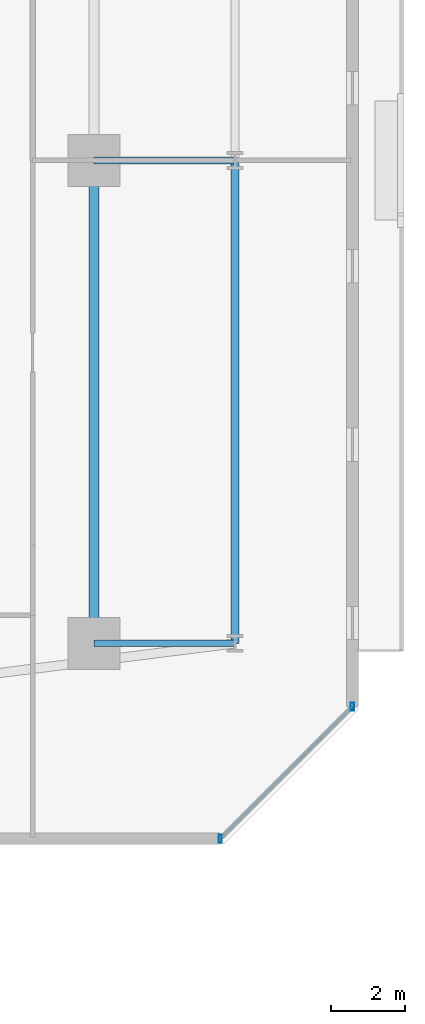
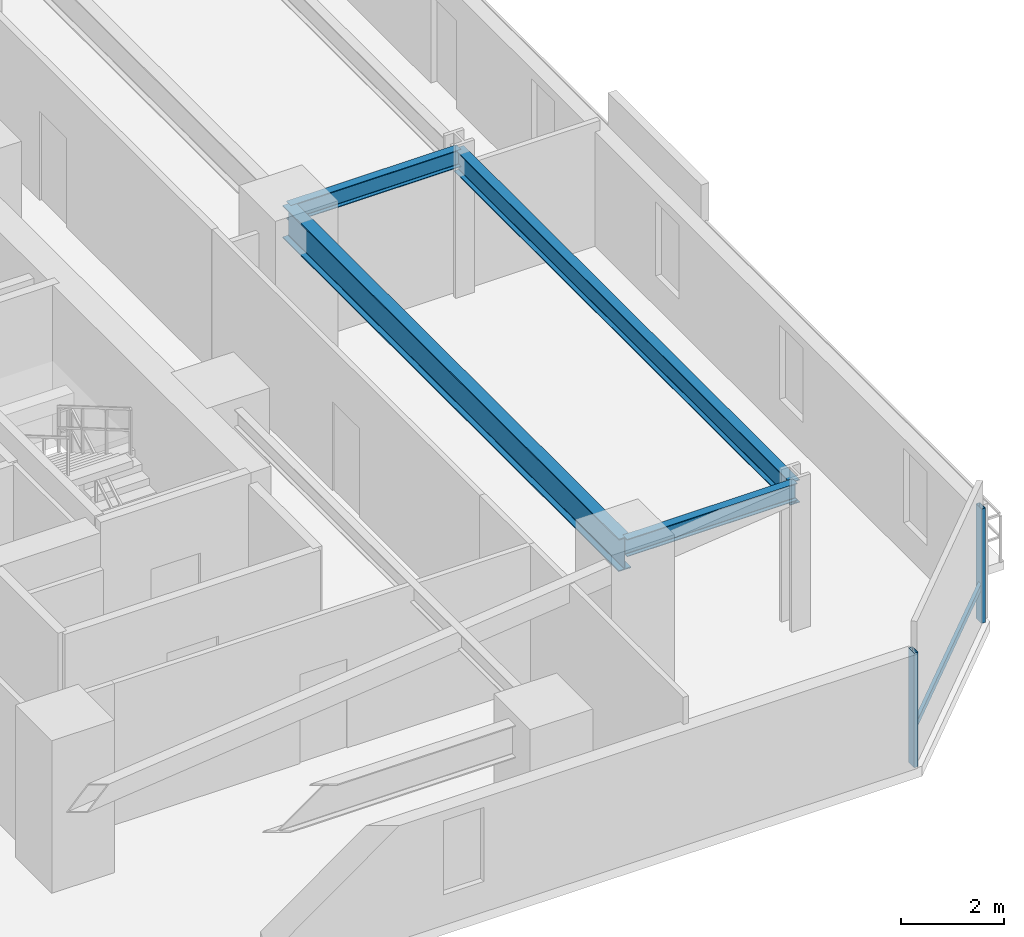
# One storey, part 14 of 34: 4 beams, 3 members, 1 element without a shape of its own.
"""IFC4 building model written with IfcOpenShell, lengths in metres."""

import ifcopenshell
import ifcopenshell.guid

model = None  # the IFC model being written
_history = None  # IfcOwnerHistory: only IFC2X3 demands one
_inside = {}  # id of a spatial element -> (the spatial element, [elements in it])
_under = {}  # id of a project, library or spatial element -> (it, [spatial elements below it])
_declared = {}  # id of a project -> (the project, [libraries it declares])
_typed = {}  # id of a type object -> (the type object, [elements of that type])
_made_of = {}  # id of a material, layer set ... -> (it, [elements and type objects made of it])


def new_model(schema):
    """Start an empty IFC model of exactly this schema.

    Asked for "IFC4X3", IfcOpenShell would pick the latest addendum, in which some entities
    have other attributes; the version numbers below select the first issue.
    IFC2X3 requires an IfcOwnerHistory on every rooted entity: one is made here for all.
    """
    global model, _history
    if schema == "IFC4X3":
        model = ifcopenshell.file(schema_version=(4, 3, 0, 0))
    else:
        model = ifcopenshell.file(schema=schema)
    _inside.clear()
    _under.clear()
    _declared.clear()
    _typed.clear()
    _made_of.clear()
    _history = None
    if model.schema == "IFC2X3":
        org = make("IfcOrganization", Name="unknown")
        user = make(
            "IfcPersonAndOrganization",
            ThePerson=make("IfcPerson", FamilyName="unknown"),
            TheOrganization=org,
        )
        app = make(
            "IfcApplication",
            ApplicationDeveloper=org,
            Version="unknown",
            ApplicationFullName="unknown",
            ApplicationIdentifier="unknown",
        )
        _history = make(
            "IfcOwnerHistory",
            OwningUser=user,
            OwningApplication=app,
            ChangeAction="ADDED",
            CreationDate=0,
        )
    return model


def make(cls, **values):
    """One entity of the class cls with the attributes given. An attribute that is None is left unset."""
    return model.create_entity(
        cls, **{name: value for name, value in values.items() if value is not None}
    )


def rooted(cls, **values):
    """An entity with a GlobalId (a new one), such as an element, a storey or a relation."""
    return make(cls, GlobalId=ifcopenshell.guid.new(), OwnerHistory=_history, **values)


def si_unit(unit_type, name, prefix=None):
    """IfcSIUnit, for example si_unit("LENGTHUNIT", "METRE", prefix="MILLI")."""
    return make("IfcSIUnit", UnitType=unit_type, Prefix=prefix, Name=name)


def assignment(units):
    """IfcUnitAssignment: the units of a project."""
    return None if units is None else make("IfcUnitAssignment", Units=units)


def point(xyz):
    """IfcCartesianPoint."""
    return None if xyz is None else make("IfcCartesianPoint", Coordinates=xyz)


def direction(xyz):
    """IfcDirection."""
    return None if xyz is None else make("IfcDirection", DirectionRatios=xyz)


def frame(location, z_axis=None, x_axis=None):
    """IfcAxis2Placement3D, a coordinate frame: its origin and axes. An axis left out is left unset."""
    return make(
        "IfcAxis2Placement3D",
        Location=point(location),
        Axis=direction(z_axis),
        RefDirection=direction(x_axis),
    )


def frame_2d(location, x_axis=None):
    """IfcAxis2Placement2D, a coordinate frame in the plane: its origin and x axis."""
    return make(
        "IfcAxis2Placement2D", Location=point(location), RefDirection=direction(x_axis)
    )


def origin():
    """The frame at (0, 0, 0) with its axes left unset."""
    return frame((0.0, 0.0, 0.0))


def origin_2d():
    """The frame at (0, 0) in the plane with its x axis left unset."""
    return frame_2d((0.0, 0.0))


def place(relative_to, where):
    """IfcLocalPlacement: puts the frame where relative to a parent placement (None: the world)."""
    return make(
        "IfcLocalPlacement", PlacementRelTo=relative_to, RelativePlacement=where
    )


def context(
    kind, dimensions, precision=None, world=None, true_north=None, identifier=None
):
    """IfcGeometricRepresentationContext, for example the 3D "Model" context."""
    return make(
        "IfcGeometricRepresentationContext",
        ContextIdentifier=identifier,
        ContextType=kind,
        CoordinateSpaceDimension=dimensions,
        Precision=precision,
        WorldCoordinateSystem=world,
        TrueNorth=true_north,
    )


def subcontext(parent, identifier, kind, view, scale=None):
    """IfcGeometricRepresentationSubContext, for example "Body" below "Model"."""
    return make(
        "IfcGeometricRepresentationSubContext",
        ContextIdentifier=identifier,
        ContextType=kind,
        ParentContext=parent,
        TargetScale=scale,
        TargetView=view,
    )


def project(units=None, contexts=None):
    """IfcProject with its units and contexts."""
    return rooted(
        "IfcProject",
        Name="project",
        RepresentationContexts=contexts,
        UnitsInContext=assignment(units),
    )


def spatial(cls, under=None, at=None, **own):
    """A site, building, storey or space (cls), placed at a placement, below another one or the project."""
    s = rooted(cls, ObjectPlacement=at, **own)
    if under is not None:
        _under.setdefault(under.id(), (under, []))[1].append(s)
    return s


def profile(cls, at=None, kind="AREA", **sizes):
    """A parametric profile (cls). Its sizes go by their IFC names, for example OverallWidth=200.0."""
    return make(cls, ProfileType=kind, Position=at, **sizes)


def hollow_rectangle(**sizes):
    """IfcRectangleHollowProfileDef."""
    return profile("IfcRectangleHollowProfileDef", **sizes)


def i_section(**sizes):
    """IfcIShapeProfileDef."""
    return profile("IfcIShapeProfileDef", **sizes)


def extrude(swept, where, along, depth):
    """IfcExtrudedAreaSolid: the profile swept, set in the frame where, extruded along a direction by depth."""
    return make(
        "IfcExtrudedAreaSolid",
        SweptArea=swept,
        Position=where,
        ExtrudedDirection=direction(along),
        Depth=depth,
    )


def shape(context_of_items, identifier, shape_type, items):
    """IfcShapeRepresentation: the items that make up one representation, for example the "Body"."""
    return make(
        "IfcShapeRepresentation",
        ContextOfItems=context_of_items,
        RepresentationIdentifier=identifier,
        RepresentationType=shape_type,
        Items=items,
    )


def material(Name=None, Category=None):
    """IfcMaterial."""
    return make("IfcMaterial", Name=Name, Category=Category)


def material_profile(
    of_material, cross_section, Name=None, Category=None, Priority=None
):
    """IfcMaterialProfile: a cross section and its material."""
    return make(
        "IfcMaterialProfile",
        Name=Name,
        Material=of_material,
        Profile=cross_section,
        Priority=Priority,
        Category=Category,
    )


def profile_set(profiles, Name=None, composite=None):
    """IfcMaterialProfileSet."""
    return make(
        "IfcMaterialProfileSet",
        Name=Name,
        MaterialProfiles=profiles,
        CompositeProfile=composite,
    )


def made_of(thing, what):
    """Note that an element or type object is made of a material, layer set ...; save() writes the relation."""
    if what is not None:
        _made_of.setdefault(what.id(), (what, []))[1].append(thing)
    return thing


def type_object(cls, material=None, **own):
    """A type object (cls), such as IfcWallType, which elements share."""
    return made_of(rooted(cls, **own), material)


def element(
    cls,
    number,
    at=None,
    inside=None,
    cuts=None,
    type_object=None,
    material=None,
    context=None,
    identifier="Body",
    shape_type=None,
    held_by="IfcProductDefinitionShape",
    body=None,
    shapes=None,
    **own,
):
    """One element of the class cls, such as IfcWall. Its Tag is "e" and its number.

    at: its placement. inside: the storey or other place that contains it. cuts: it is an
    opening in that element (IfcRelVoidsElement). A single representation is given by context,
    identifier, shape_type and body (its items); several are given by shapes. held_by: the class
    of the entity that holds the representations. save() writes the other relations.
    """
    e = rooted(cls, Tag="e%d" % number, ObjectPlacement=at, **own)
    if body is not None:
        shapes = [shape(context, identifier, shape_type, body)]
    if shapes is not None:
        e.Representation = make(held_by, Representations=shapes)
    if inside is not None:
        _inside.setdefault(inside.id(), (inside, []))[1].append(e)
    if cuts is not None:
        rooted(
            "IfcRelVoidsElement", RelatingBuildingElement=cuts, RelatedOpeningElement=e
        )
    if type_object is not None:
        _typed.setdefault(type_object.id(), (type_object, []))[1].append(e)
    return made_of(e, material)


def aggregate(whole, parts):
    """IfcRelAggregates: a whole, such as a stair, and the parts it consists of."""
    return rooted("IfcRelAggregates", RelatingObject=whole, RelatedObjects=parts)


def save(model, path):
    """Write the relations noted so far, then the file.

    IfcRelAggregates (storeys below a building ...), IfcRelContainedInSpatialStructure (elements
    in a storey), IfcRelDefinesByType, IfcRelAssociatesMaterial and IfcRelDeclares: one each for
    every whole, place, type object, material and project.
    """
    for whole, parts in _under.values():
        aggregate(whole, parts)
    for where, things in _inside.values():
        rooted(
            "IfcRelContainedInSpatialStructure",
            RelatedElements=things,
            RelatingStructure=where,
        )
    for kind, things in _typed.values():
        rooted("IfcRelDefinesByType", RelatedObjects=things, RelatingType=kind)
    for what, things in _made_of.values():
        rooted("IfcRelAssociatesMaterial", RelatedObjects=things, RelatingMaterial=what)
    for by, libraries in _declared.values():
        rooted("IfcRelDeclares", RelatingContext=by, RelatedDefinitions=libraries)
    model.write(path)


model = new_model("IFC4")

# Units and contexts
model_context = context("Model", 3, precision=1e-05, world=origin(), true_north=direction((0.0, 1.0)))
body_context = subcontext(model_context, "Body", "Model", "MODEL_VIEW")
ifc_project = project(units=[si_unit("LENGTHUNIT", "METRE"), si_unit("AREAUNIT", "SQUARE_METRE"), si_unit("VOLUMEUNIT", "CUBIC_METRE"), si_unit("PLANEANGLEUNIT", "RADIAN"), si_unit("MASSUNIT", "GRAM", prefix="KILO")], contexts=[model_context])

# Site, building, storey
site_placement = place(None, origin())
site = spatial("IfcSite", under=ifc_project, at=site_placement, CompositionType="ELEMENT")
building_placement = place(site_placement, origin())
building = spatial("IfcBuilding", under=site, at=building_placement, Name="Thornwick Lancets Civic Towers", CompositionType="ELEMENT")
storey_placement = place(building_placement, frame((0.0, 0.0, 57.300048828125)))
storey = spatial("IfcBuildingStorey", under=building, at=storey_placement, Name="L14", CompositionType="ELEMENT", Elevation=57.300048828125)

# Beams
ifc_material_1 = material(Name="Steel S355JR", Category="steel")
ifc_material_profile_1 = material_profile(ifc_material_1, i_section(OverallWidth=0.2119140625, OverallDepth=0.54443359375, WebThickness=0.0126953125, FlangeThickness=0.021240234375, FilletRadius=0.0126953125, at=origin_2d()), Name="UKB 533x210x122")
ifc_profile_set_1 = profile_set([ifc_material_profile_1], Name="Steel S355JR")
beam_type_1 = type_object("IfcBeamType", Name="BM_EDGE_533_122", PredefinedType="SPANDREL", material=ifc_profile_set_1)
beam_1_placement = place(storey_placement, frame((109.60009765625, 14.0, 3.087646484375), z_axis=(0.0, 1.0, 0.0), x_axis=(-1.0, 0.0, 0.0)))
element("IfcBeam", 1, at=beam_1_placement, inside=storey, type_object=beam_type_1, Name="BM-EDGE-L14-B-S0-1", PredefinedType="SPANDREL", context=body_context, shape_type="SweptSolid", body=[
    extrude(i_section(OverallWidth=0.2119140625, OverallDepth=0.54443359375, WebThickness=0.0126953125, FlangeThickness=0.021240234375, FilletRadius=0.0126953125, at=origin_2d()), origin(), (0.0, 0.0, 1.0), 13.0),
])
ifc_material_profile_2 = material_profile(ifc_material_1, i_section(OverallWidth=0.26806640625, OverallDepth=0.769775390625, WebThickness=0.015625, FlangeThickness=0.025390625, FilletRadius=0.0166015625, at=origin_2d()), Name="UKB 762x267x197")
ifc_profile_set_2 = profile_set([ifc_material_profile_2], Name="Steel S355JR")
beam_type_2 = type_object("IfcBeamType", Name="BM_GIRD_762_197", PredefinedType="BEAM", material=ifc_profile_set_2)
beam_2_placement = place(storey_placement, frame((105.800048828125, 14.0, 2.97509765625), z_axis=(0.0, 1.0, 0.0), x_axis=(-1.0, 0.0, 0.0)))
element("IfcBeam", 2, at=beam_2_placement, inside=storey, type_object=beam_type_2, Name="BM-SPINE-L14-B-0-1", PredefinedType="BEAM", context=body_context, shape_type="SweptSolid", body=[
    extrude(i_section(OverallWidth=0.26806640625, OverallDepth=0.769775390625, WebThickness=0.015625, FlangeThickness=0.025390625, FilletRadius=0.0166015625, at=origin_2d()), origin(), (0.0, 0.0, 1.0), 13.0),
])
ifc_material_profile_3 = material_profile(ifc_material_1, i_section(OverallWidth=0.179443359375, OverallDepth=0.412841796875, WebThickness=0.009521484375, FlangeThickness=0.01611328125, FilletRadius=0.01025390625, at=origin_2d()), Name="UKB 406x178x74")
ifc_profile_set_3 = profile_set([ifc_material_profile_3], Name="Steel S355JR")
beam_type_3 = type_object("IfcBeamType", Name="BM_JOIST_406_74", PredefinedType="JOIST", material=ifc_profile_set_3)
for number, where, z_axis, x_axis, name in (
    (3, (105.800048828125, 14.0, 3.153564453125), (1.0, 0.0, 0.0), (0.0, 1.0, 0.0), "BM-RAD-L14-B01"),
    (4, (105.800048828125, 27.0, 3.153564453125), (1.0, 0.0, 0.0), (0.0, 1.0, 0.0), "BM-RAD-L14-B02"),
):
    element("IfcBeam", number, at=place(storey_placement, frame(where, z_axis=z_axis, x_axis=x_axis)), inside=storey, type_object=beam_type_3, Name=name, PredefinedType="JOIST", context=body_context, shape_type="SweptSolid", body=[
        extrude(i_section(OverallWidth=0.179443359375, OverallDepth=0.412841796875, WebThickness=0.009521484375, FlangeThickness=0.01611328125, FilletRadius=0.01025390625, at=origin_2d()), origin(), (0.0, 0.0, 1.0), 3.800048828125),
    ])

# Curtain wall, members
ifc_material_2 = material(Name="Low-zone chamfered-corner unitised glass curtain wall", Category="glass")
curtain_wall_type = type_object("IfcCurtainWallType", Name="CW_SYS_03", PredefinedType="NOTDEFINED", material=ifc_material_2)
curtain_wall_placement = place(storey_placement, origin())
curtain_wall = element("IfcCurtainWall", 5, at=curtain_wall_placement, inside=storey, type_object=curtain_wall_type, Name="L14 Curtain Wall CW-L14-B-E1", PredefinedType="NOTDEFINED")
ifc_material_3 = material(Name="Thermally broken bronze aluminium S355", Category="steel")
ifc_material_profile_4 = material_profile(ifc_material_3, hollow_rectangle(XDim=0.090087890625, YDim=0.219970703125, WallThickness=0.00634765625, at=origin_2d()), Name="RHS 220x90x6.3")
ifc_profile_set_4 = profile_set([ifc_material_profile_4], Name="Thermally broken bronze aluminium S355")
member_type_1 = type_object("IfcMemberType", Name="CW_MUL_220", PredefinedType="MULLION", material=ifc_profile_set_4)
member_1_placement = place(storey_placement, frame((109.202880859375, 8.73828125, 0.0), z_axis=(0.0, 0.0, 1.0), x_axis=(1.0, 0.0, 0.0)))
member_1 = element("IfcMember", 6, at=member_1_placement, type_object=member_type_1, Name="CW-L14-B-E1 Mullion 0", PredefinedType="MULLION", context=body_context, shape_type="SweptSolid", body=[
    extrude(hollow_rectangle(XDim=0.090087890625, YDim=0.219970703125, WallThickness=0.00634765625, at=origin_2d()), origin(), (0.0, 0.0, 1.0), 2.699951171875),
])
member_2_placement = place(storey_placement, frame((112.76171875, 12.297119140625, 0.0), z_axis=(0.0, 0.0, 1.0), x_axis=(1.0, 0.0, 0.0)))
member_2 = element("IfcMember", 7, at=member_2_placement, type_object=member_type_1, Name="CW-L14-B-E1 Mullion 1", PredefinedType="MULLION", context=body_context, shape_type="SweptSolid", body=[
    extrude(hollow_rectangle(XDim=0.090087890625, YDim=0.219970703125, WallThickness=0.00634765625, at=origin_2d()), origin(), (0.0, 0.0, 1.0), 2.699951171875),
])
ifc_material_profile_5 = material_profile(ifc_material_3, hollow_rectangle(XDim=0.074951171875, YDim=0.14990234375, WallThickness=0.0048828125, at=origin_2d()), Name="RHS 150x75x5")
ifc_profile_set_5 = profile_set([ifc_material_profile_5], Name="Thermally broken bronze aluminium S355")
member_type_2 = type_object("IfcMemberType", Name="CW_TRN_150", PredefinedType="USERDEFINED", material=ifc_profile_set_5)
member_3_placement = place(storey_placement, frame((109.216796875, 8.75244140625, 0.849853515625), z_axis=(0.707106781187, 0.707106781187, 0.0), x_axis=(-0.707106781187, 0.707106781187, 0.0)))
member_3 = element("IfcMember", 8, at=member_3_placement, type_object=member_type_2, Name="CW-L14-B-E1 Transom 0", ObjectType="TRANSOM", PredefinedType="USERDEFINED", context=body_context, shape_type="SweptSolid", body=[
    extrude(hollow_rectangle(XDim=0.074951171875, YDim=0.14990234375, WallThickness=0.0048828125, at=origin_2d()), origin(), (0.0, 0.0, 1.0), 4.9931640625),
])
aggregate(curtain_wall, [member_1, member_2, member_3])

save(model, "model.ifc")
